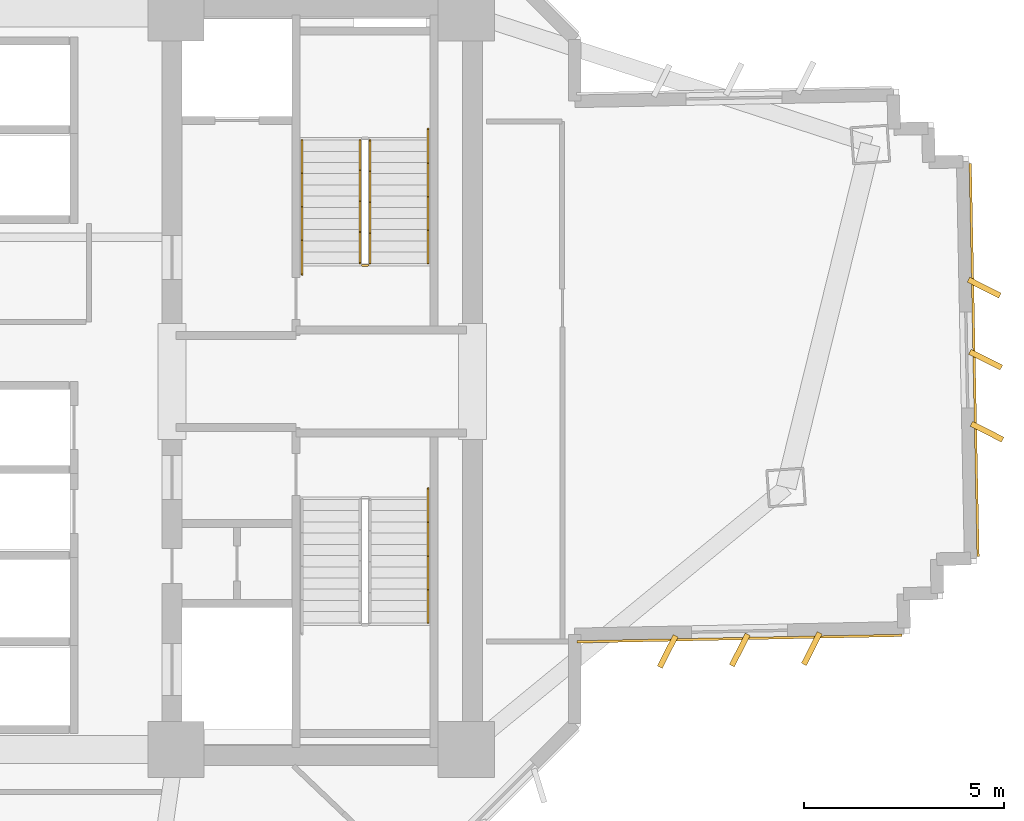
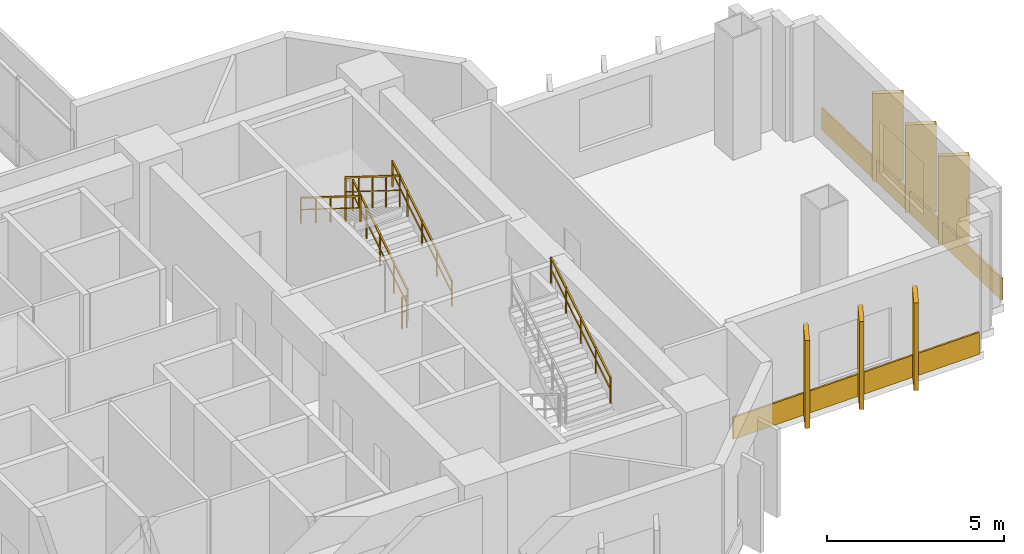
# One storey, part 13 of 15: 8 coverings, 6 railings.
"""IFC4 building model written with IfcOpenShell, lengths in metres."""

from ifc_helpers import new_model, si_unit, direction, frame, origin, origin_2d, place, context, subcontext, project, spatial, rectangle, extrude, source, transform, mapped, material, layer, layer_set, type_object, element, save


model = new_model("IFC4")

# Units and contexts
model_context = context("Model", 3, precision=1e-05, world=origin(), true_north=direction((0.0, 1.0)))
body_context = subcontext(model_context, "Body", "Model", "MODEL_VIEW")
ifc_project = project(units=[si_unit("LENGTHUNIT", "METRE"), si_unit("AREAUNIT", "SQUARE_METRE"), si_unit("VOLUMEUNIT", "CUBIC_METRE"), si_unit("PLANEANGLEUNIT", "RADIAN"), si_unit("MASSUNIT", "GRAM", prefix="KILO")], contexts=[model_context])

# Site, building, storey
site_placement = place(None, origin())
site = spatial("IfcSite", under=ifc_project, at=site_placement, CompositionType="ELEMENT")
building_placement = place(site_placement, origin())
building = spatial("IfcBuilding", under=site, at=building_placement, Name="Zahravan Cultural Tower", CompositionType="ELEMENT")
storey_placement = place(building_placement, frame((0.0, 0.0, 45.89990234375)))
storey = spatial("IfcBuildingStorey", under=building, at=storey_placement, Name="L09", CompositionType="ELEMENT", Elevation=45.89990234375)

# Railings
ifc_material_1 = material(Name="Steel ASTM A572 Grade 50", Category="steel")
railing_type_1 = type_object("IfcRailingType", Name="RL-STAIR-GRD1150", PredefinedType="BALUSTRADE", material=ifc_material_1)
railing_1_placement = place(storey_placement, frame((47.949951171875, 29.949951171875, 0.175048828125)))
element("IfcRailing", 1, at=railing_1_placement, inside=storey, type_object=railing_type_1, Name="L09 ST-E1 stair guard 1", PredefinedType="BALUSTRADE", context=body_context, shape_type="SweptSolid", body=[
    extrude(rectangle(XDim=0.05, YDim=0.05, at=origin_2d()), frame((0.0, 0.0, 1.0751953125), z_axis=(0.0, 0.847998304005, 0.529998940003), x_axis=(-1.0, 0.0, 0.0)), (0.0, 0.0, 1.0), 3.632080078125),
    extrude(rectangle(XDim=0.032, YDim=0.032, at=origin_2d()), frame((0.0, 0.0, 0.572021484375), z_axis=(0.0, 0.847998304005, 0.529998940003), x_axis=(-1.0, 0.0, 0.0)), (0.0, 0.0, 1.0), 3.632080078125),
    extrude(rectangle(XDim=0.04, YDim=0.04, at=origin_2d()), origin(), (0.0, 0.0, 1.0), 1.10009765625),
    extrude(rectangle(XDim=0.04, YDim=0.04, at=origin_2d()), frame((0.0, 0.77001953125, 0.481201171875)), (0.0, 0.0, 1.0), 1.10009765625),
    extrude(rectangle(XDim=0.04, YDim=0.04, at=origin_2d()), frame((0.0, 1.5400390625, 0.96240234375)), (0.0, 0.0, 1.0), 1.10009765625),
    extrude(rectangle(XDim=0.04, YDim=0.04, at=origin_2d()), frame((0.0, 2.31005859375, 1.44384765625)), (0.0, 0.0, 1.0), 1.10009765625),
    extrude(rectangle(XDim=0.04, YDim=0.04, at=origin_2d()), frame((0.0, 3.080078125, 1.925048828125)), (0.0, 0.0, 1.0), 1.10009765625),
])
railing_2_placement = place(storey_placement, frame((47.699951171875, 33.030029296875, 2.275146484375)))
element("IfcRailing", 2, at=railing_2_placement, inside=storey, type_object=railing_type_1, Name="L09 ST-E1 stair guard 3", PredefinedType="BALUSTRADE", context=body_context, shape_type="SweptSolid", body=[
    extrude(rectangle(XDim=0.05, YDim=0.05, at=origin_2d()), frame((0.0, 0.0, 1.0751953125), z_axis=(0.0, -0.847998304005, 0.529998940003), x_axis=(1.0, 0.0, 0.0)), (0.0, 0.0, 1.0), 3.632080078125),
    extrude(rectangle(XDim=0.032, YDim=0.032, at=origin_2d()), frame((0.0, 0.0, 0.572021484375), z_axis=(0.0, -0.847998304005, 0.529998940003), x_axis=(1.0, 0.0, 0.0)), (0.0, 0.0, 1.0), 3.632080078125),
    extrude(rectangle(XDim=0.04, YDim=0.04, at=origin_2d()), origin(), (0.0, 0.0, 1.0), 1.10009765625),
    extrude(rectangle(XDim=0.04, YDim=0.04, at=origin_2d()), frame((0.0, -0.77001953125, 0.481201171875)), (0.0, 0.0, 1.0), 1.10009765625),
    extrude(rectangle(XDim=0.04, YDim=0.04, at=origin_2d()), frame((0.0, -1.5400390625, 0.96240234375)), (0.0, 0.0, 1.0), 1.10009765625),
    extrude(rectangle(XDim=0.04, YDim=0.04, at=origin_2d()), frame((0.0, -2.31005859375, 1.44384765625)), (0.0, 0.0, 1.0), 1.10009765625),
    extrude(rectangle(XDim=0.04, YDim=0.04, at=origin_2d()), frame((0.0, -3.080078125, 1.925048828125)), (0.0, 0.0, 1.0), 1.10009765625),
])
railing_3_placement = place(storey_placement, frame((47.89990234375, 29.89990234375, 0.0)))
element("IfcRailing", 3, at=railing_3_placement, inside=storey, type_object=railing_type_1, Name="L09 ST-E1 stair guard 4", PredefinedType="BALUSTRADE", context=body_context, shape_type="SweptSolid", body=[
    extrude(rectangle(XDim=0.05, YDim=0.05, at=origin_2d()), frame((0.0, 0.0, 1.0751953125), z_axis=(-1.0, 0.0, 0.0), x_axis=(0.0, -1.0, 0.0)), (0.0, 0.0, 1.0), 0.14990234375),
    extrude(rectangle(XDim=0.032, YDim=0.032, at=origin_2d()), frame((0.0, 0.0, 0.572021484375), z_axis=(-1.0, 0.0, 0.0), x_axis=(0.0, -1.0, 0.0)), (0.0, 0.0, 1.0), 0.14990234375),
    extrude(rectangle(XDim=0.04, YDim=0.04, at=origin_2d()), origin(), (0.0, 0.0, 1.0), 1.10009765625),
    extrude(rectangle(XDim=0.04, YDim=0.04, at=origin_2d()), frame((-0.14990234375, 0.0, 0.0)), (0.0, 0.0, 1.0), 1.10009765625),
])
railing_type_2 = type_object("IfcRailingType", Name="RL-STAIR-HR900", PredefinedType="HANDRAIL", material=ifc_material_1)
railing_4_placement = place(storey_placement, frame((49.39990234375, 29.949951171875, 0.175048828125)))
element("IfcRailing", 4, at=railing_4_placement, inside=storey, type_object=railing_type_2, Name="L09 ST-E1 stair handrail 1", PredefinedType="HANDRAIL", context=body_context, shape_type="SweptSolid", body=[
    extrude(rectangle(XDim=0.05, YDim=0.05, at=origin_2d()), frame((0.0, 0.0, 0.875), z_axis=(0.0, 0.847994842521, 0.530004478338), x_axis=(-1.0, 0.0, 0.0)), (0.0, 0.0, 1.0), 3.96240234375),
    extrude(rectangle(XDim=0.032, YDim=0.032, at=origin_2d()), frame((0.0, 0.0, 0.468017578125), z_axis=(0.0, 0.847994842521, 0.530004478338), x_axis=(-1.0, 0.0, 0.0)), (0.0, 0.0, 1.0), 3.96240234375),
    extrude(rectangle(XDim=0.04, YDim=0.04, at=origin_2d()), origin(), (0.0, 0.0, 1.0), 0.89990234375),
    extrude(rectangle(XDim=0.04, YDim=0.04, at=origin_2d()), frame((0.0, 0.840087890625, 0.52490234375)), (0.0, 0.0, 1.0), 0.89990234375),
    extrude(rectangle(XDim=0.04, YDim=0.04, at=origin_2d()), frame((0.0, 1.68017578125, 1.050048828125)), (0.0, 0.0, 1.0), 0.89990234375),
    extrude(rectangle(XDim=0.04, YDim=0.04, at=origin_2d()), frame((0.0, 2.52001953125, 1.5751953125)), (0.0, 0.0, 1.0), 0.89990234375),
    extrude(rectangle(XDim=0.04, YDim=0.04, at=origin_2d()), frame((0.0, 3.360107421875, 2.10009765625)), (0.0, 0.0, 1.0), 0.89990234375),
])
railing_5_placement = place(storey_placement, frame((46.25, 33.030029296875, 2.275146484375)))
element("IfcRailing", 5, at=railing_5_placement, inside=storey, type_object=railing_type_2, Name="L09 ST-E1 stair handrail 2", PredefinedType="HANDRAIL", context=body_context, shape_type="SweptSolid", body=[
    extrude(rectangle(XDim=0.05, YDim=0.05, at=origin_2d()), frame((0.0, 0.0, 0.875), z_axis=(0.0, -0.848022534174, 0.529960169762), x_axis=(1.0, 0.0, 0.0)), (0.0, 0.0, 1.0), 3.96240234375),
    extrude(rectangle(XDim=0.032, YDim=0.032, at=origin_2d()), frame((0.0, 0.0, 0.468017578125), z_axis=(0.0, -0.848022534174, 0.529960169762), x_axis=(1.0, 0.0, 0.0)), (0.0, 0.0, 1.0), 3.96240234375),
    extrude(rectangle(XDim=0.04, YDim=0.04, at=origin_2d()), origin(), (0.0, 0.0, 1.0), 0.89990234375),
    extrude(rectangle(XDim=0.04, YDim=0.04, at=origin_2d()), frame((0.0, -0.840087890625, 0.52490234375)), (0.0, 0.0, 1.0), 0.89990234375),
    extrude(rectangle(XDim=0.04, YDim=0.04, at=origin_2d()), frame((0.0, -1.68017578125, 1.0498046875)), (0.0, 0.0, 1.0), 0.89990234375),
    extrude(rectangle(XDim=0.04, YDim=0.04, at=origin_2d()), frame((0.0, -2.52001953125, 1.574951171875)), (0.0, 0.0, 1.0), 0.89990234375),
    extrude(rectangle(XDim=0.04, YDim=0.04, at=origin_2d()), frame((0.0, -3.360107421875, 2.099853515625)), (0.0, 0.0, 1.0), 0.89990234375),
])
railing_6_placement = place(storey_placement, frame((49.39990234375, 20.969970703125, 2.275146484375)))
element("IfcRailing", 6, at=railing_6_placement, inside=storey, type_object=railing_type_2, Name="L09 ST-E2 stair handrail 2", PredefinedType="HANDRAIL", context=body_context, shape_type="SweptSolid", body=[
    extrude(rectangle(XDim=0.05, YDim=0.05, at=origin_2d()), frame((0.0, 0.0, 0.875), z_axis=(0.0, 0.848022534174, 0.529960169762), x_axis=(-1.0, 0.0, 0.0)), (0.0, 0.0, 1.0), 3.96240234375),
    extrude(rectangle(XDim=0.032, YDim=0.032, at=origin_2d()), frame((0.0, 0.0, 0.468017578125), z_axis=(0.0, 0.848022534174, 0.529960169762), x_axis=(-1.0, 0.0, 0.0)), (0.0, 0.0, 1.0), 3.96240234375),
    extrude(rectangle(XDim=0.04, YDim=0.04, at=origin_2d()), origin(), (0.0, 0.0, 1.0), 0.89990234375),
    extrude(rectangle(XDim=0.04, YDim=0.04, at=origin_2d()), frame((0.0, 0.840087890625, 0.52490234375)), (0.0, 0.0, 1.0), 0.89990234375),
    extrude(rectangle(XDim=0.04, YDim=0.04, at=origin_2d()), frame((0.0, 1.68017578125, 1.0498046875)), (0.0, 0.0, 1.0), 0.89990234375),
    extrude(rectangle(XDim=0.04, YDim=0.04, at=origin_2d()), frame((0.0, 2.52001953125, 1.574951171875)), (0.0, 0.0, 1.0), 0.89990234375),
    extrude(rectangle(XDim=0.04, YDim=0.04, at=origin_2d()), frame((0.0, 3.360107421875, 2.099853515625)), (0.0, 0.0, 1.0), 0.89990234375),
])

# Coverings
ifc_material_2 = material(Name="Terracotta ceramic cladding", Category="masonry")
ifc_layer = layer(ifc_material_2, 0.06005859375)
ifc_layer_set = layer_set([ifc_layer], Name="Terracotta ceramic cladding")
covering_type = type_object("IfcCoveringType", Name="COV-CLAD-TC60", PredefinedType="CLADDING", material=ifc_layer_set)
shared_shape_1 = source(origin(), body_context, "Body", "SweptSolid", [
    extrude(rectangle(XDim=9.820068359375, YDim=0.06005859375, at=origin_2d()), origin(), (0.0, 0.0, 1.0), 0.760009765625),
])
covering_1_placement = place(storey_placement, frame((63.03955078125, 27.5380859375, 0.02001953125), z_axis=(0.0, 0.0, 1.0), x_axis=(0.019895440708, -0.999802066131, 0.0)))
element("IfcCovering", 7, at=covering_1_placement, inside=storey, type_object=covering_type, Name="L09 Terracotta Spandrel Cladding 06", PredefinedType="CLADDING", context=body_context, shape_type="MappedRepresentation", body=[
    mapped(shared_shape_1, transform((0.0, 0.0, 0.0), x_axis=(1.0, 0.0, 0.0), y_axis=(0.0, 1.0, 0.0), z_axis=(0.0, 0.0, 1.0), scale=1.0)),
])
shared_shape_2 = source(origin(), body_context, "Body", "SweptSolid", [
    extrude(rectangle(XDim=0.8798828125, YDim=0.139892578125, at=origin_2d()), origin(), (0.0, 0.0, 1.0), 3.030029296875),
])
for number, where, z_axis, x_axis, name in (
    (8, (63.288818359375, 29.343505859375, 0.05029296875), (0.0, 0.0, 1.0), (0.892113171267, -0.451812006981, 0.0), "L09 Herringbone Terracotta Fin 04"),
    (9, (63.32470703125, 27.543701171875, 0.05029296875), (0.0, 0.0, 1.0), (0.892113171267, -0.451812006981, 0.0), "L09 Herringbone Terracotta Fin 05"),
    (10, (63.3603515625, 25.744140625, 0.05029296875), (0.0, 0.0, 1.0), (0.892113171267, -0.451812006981, 0.0), "L09 Herringbone Terracotta Fin 06"),
    (11, (58.982666015625, 20.325927734375, 0.05029296875), (0.0, 0.0, 1.0), (-0.4517964366, -0.892121056738, 0.0), "L09 Herringbone Terracotta Fin 07"),
    (12, (57.18310546875, 20.2900390625, 0.05029296875), (0.0, 0.0, 1.0), (-0.4517964366, -0.892121056738, 0.0), "L09 Herringbone Terracotta Fin 08"),
    (13, (55.383544921875, 20.25439453125, 0.05029296875), (0.0, 0.0, 1.0), (-0.4517964366, -0.892121056738, 0.0), "L09 Herringbone Terracotta Fin 09"),
):
    element("IfcCovering", number, at=place(storey_placement, frame(where, z_axis=z_axis, x_axis=x_axis)), inside=storey, type_object=covering_type, Name=name, PredefinedType="CLADDING", context=body_context, shape_type="MappedRepresentation", body=[
        mapped(shared_shape_2, transform((0.0, 0.0, 0.0), x_axis=(1.0, 0.0, 0.0), y_axis=(0.0, 1.0, 0.0), z_axis=(0.0, 0.0, 1.0), scale=1.0)),
    ])
shared_shape_3 = source(origin(), body_context, "Body", "SweptSolid", [
    extrude(rectangle(XDim=8.129150390625, YDim=0.06005859375, at=origin_2d()), origin(), (0.0, 0.0, 1.0), 0.760009765625),
])
covering_2_placement = place(storey_placement, frame((57.177490234375, 20.574951171875, 0.02001953125), z_axis=(0.0, 0.0, 1.0), x_axis=(-0.999801718737, -0.019912890543, 0.0)))
element("IfcCovering", 14, at=covering_2_placement, inside=storey, type_object=covering_type, Name="L09 Terracotta Spandrel Cladding 11", PredefinedType="CLADDING", context=body_context, shape_type="MappedRepresentation", body=[
    mapped(shared_shape_3, transform((0.0, 0.0, 0.0), x_axis=(1.0, 0.0, 0.0), y_axis=(0.0, 1.0, 0.0), z_axis=(0.0, 0.0, 1.0), scale=1.0)),
])

save(model, "model.ifc")
